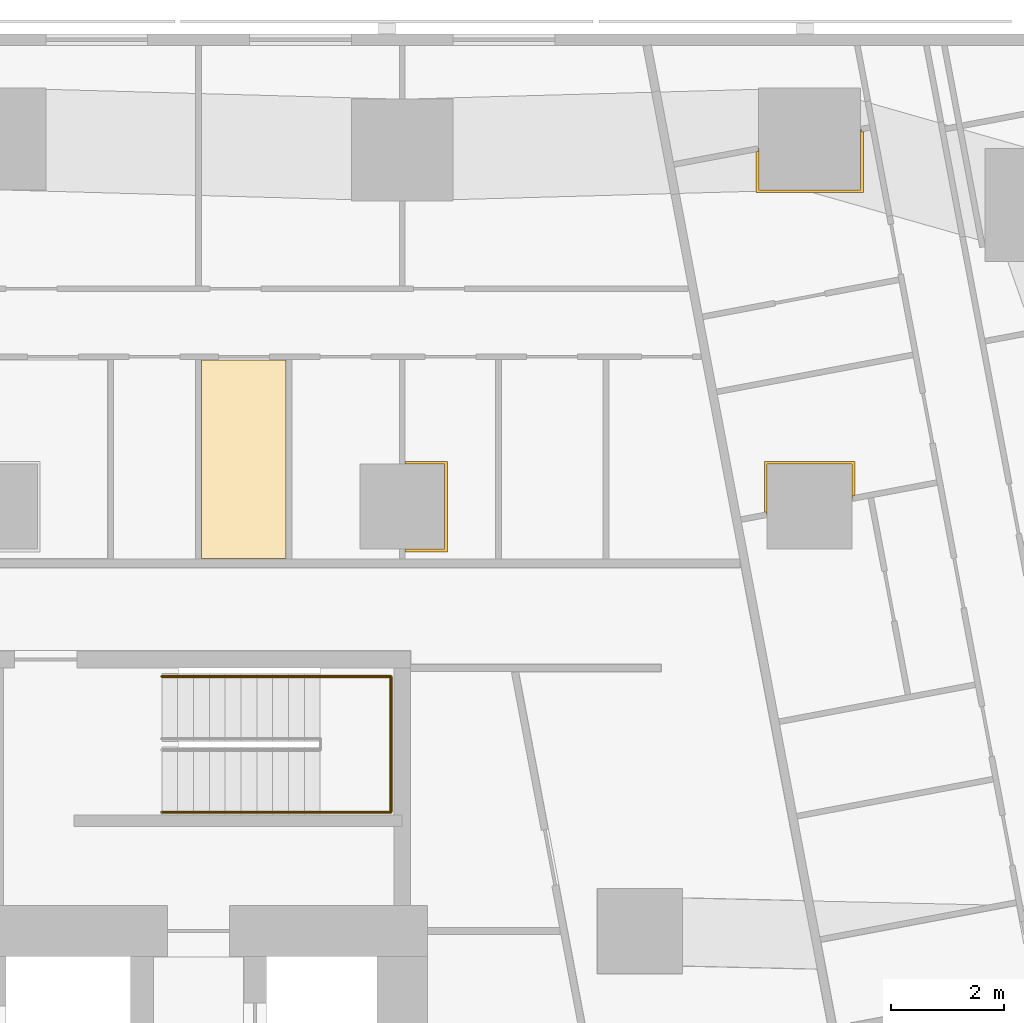
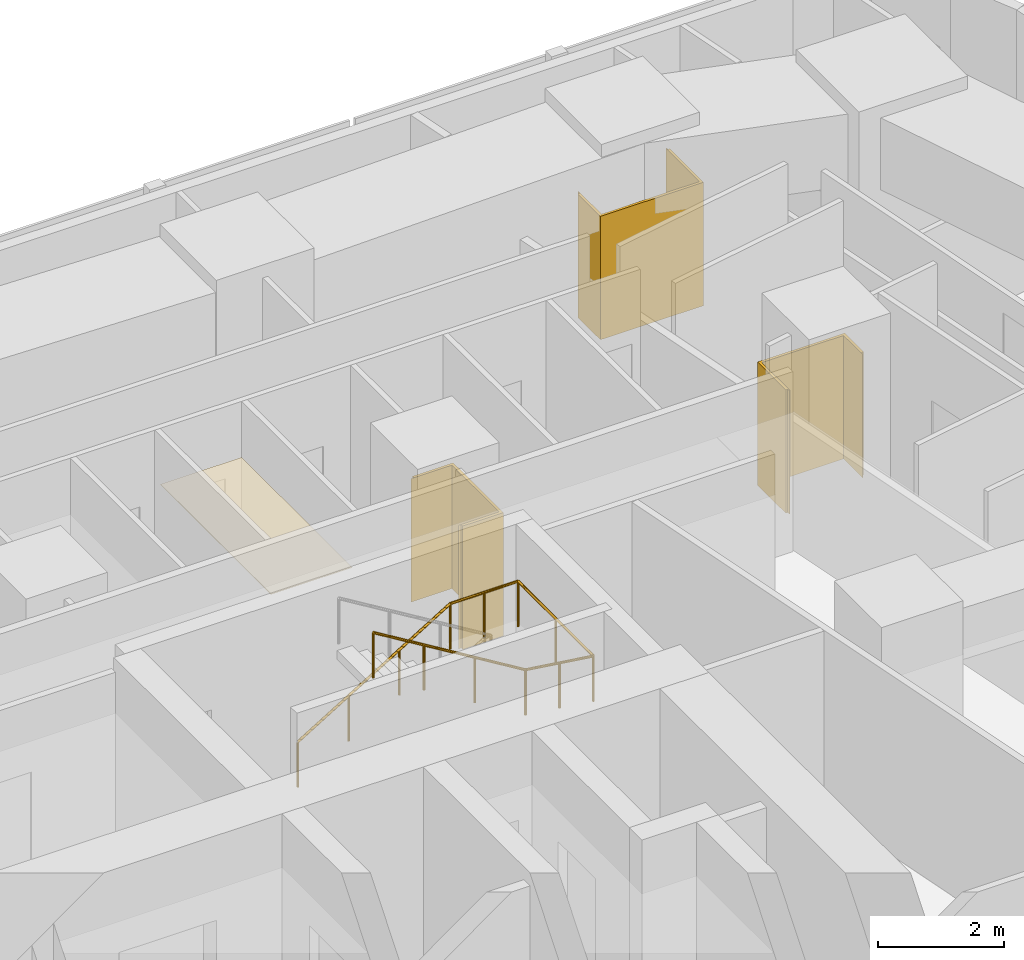
# One storey, part 15 of 15: 4 coverings, 1 railing.
"""IFC4 building model written with IfcOpenShell, lengths in metres."""

from ifc_helpers import new_model, si_unit, direction, frame, origin, origin_2d, place, context, subcontext, project, spatial, polyline, circle, outline, extrude, material, layer, layer_set, type_object, element, save


model = new_model("IFC4")

# Units and contexts
model_context = context("Model", 3, precision=1e-05, world=origin(), true_north=direction((0.0, 1.0)))
body_context = subcontext(model_context, "Body", "Model", "MODEL_VIEW")
ifc_project = project(units=[si_unit("LENGTHUNIT", "METRE"), si_unit("AREAUNIT", "SQUARE_METRE"), si_unit("VOLUMEUNIT", "CUBIC_METRE"), si_unit("PLANEANGLEUNIT", "RADIAN"), si_unit("MASSUNIT", "GRAM", prefix="KILO")], contexts=[model_context])

# Site, building, storey
site_placement = place(None, origin())
site = spatial("IfcSite", under=ifc_project, at=site_placement, CompositionType="ELEMENT")
building_placement = place(site_placement, origin())
building = spatial("IfcBuilding", under=site, at=building_placement, Name="Sheger Commons Tower", CompositionType="ELEMENT")
storey_placement = place(building_placement, frame((0.0, 0.0, 139.550048828125)))
storey = spatial("IfcBuildingStorey", under=building, at=storey_placement, Name="L35", CompositionType="ELEMENT", Elevation=139.550048828125)

# Railing
ifc_material_1 = material(Name="Steel handrail, black powder-coated", Category="steel")
railing_type = type_object("IfcRailingType", Name="HANDRAIL 900", PredefinedType="HANDRAIL", material=ifc_material_1)
railing_placement = place(storey_placement, frame((24.550048828125, 34.5, 0.17041015625)))
element("IfcRailing", 1, at=railing_placement, inside=storey, type_object=railing_type, Name="Stair S2 handrail L35", PredefinedType="HANDRAIL", context=body_context, shape_type="SweptSolid", body=[
    extrude(circle(Radius=0.02392578125, at=origin_2d()), frame((0.0, 0.0, 0.8759765625), z_axis=(0.854169791009, 0.0, 0.51999420009), x_axis=(0.0, 1.0, 0.0)), (0.0, 0.0, 1.0), 3.278076171875),
    extrude(circle(Radius=0.02392578125, at=origin_2d()), frame((2.800048828125, 0.0, 2.58056640625), z_axis=(1.0, 0.0, 0.0), x_axis=(0.0, 1.0, 0.0)), (0.0, 0.0, 1.0), 1.25),
    extrude(circle(Radius=0.02392578125, at=origin_2d()), frame((4.050048828125, 0.0, 2.58056640625), z_axis=(0.0, -1.0, 0.0), x_axis=(1.0, 0.0, 0.0)), (0.0, 0.0, 1.0), 2.39990234375),
    extrude(circle(Radius=0.02392578125, at=origin_2d()), frame((4.050048828125, -2.39990234375, 2.58056640625), z_axis=(-0.990834877927, 0.0, 0.135078661092), x_axis=(0.0, -1.0, 0.0)), (0.0, 0.0, 1.0), 1.261474609375),
    extrude(circle(Radius=0.02392578125, at=origin_2d()), frame((2.800048828125, -2.39990234375, 2.7509765625), z_axis=(-0.854169791009, 0.0, 0.51999420009), x_axis=(0.0, -1.0, 0.0)), (0.0, 0.0, 1.0), 3.278076171875),
    extrude(circle(Radius=0.02099609375, at=origin_2d()), origin(), (0.0, 0.0, 1.0), 0.851806640625),
    extrude(circle(Radius=0.02099609375, at=origin_2d()), frame((0.933349609375, 0.0, 0.568115234375)), (0.0, 0.0, 1.0), 0.851806640625),
    extrude(circle(Radius=0.02099609375, at=origin_2d()), frame((1.86669921875, 0.0, 1.136474609375)), (0.0, 0.0, 1.0), 0.851806640625),
    extrude(circle(Radius=0.02099609375, at=origin_2d()), frame((2.800048828125, 0.0, 1.70458984375)), (0.0, 0.0, 1.0), 0.851806640625),
    extrude(circle(Radius=0.02099609375, at=origin_2d()), frame((3.425048828125, 0.0, 1.70458984375)), (0.0, 0.0, 1.0), 0.851806640625),
    extrude(circle(Radius=0.02099609375, at=origin_2d()), frame((4.050048828125, 0.0, 1.70458984375)), (0.0, 0.0, 1.0), 0.851806640625),
    extrude(circle(Radius=0.02099609375, at=origin_2d()), frame((4.050048828125, -1.199951171875, 1.70458984375)), (0.0, 0.0, 1.0), 0.851806640625),
    extrude(circle(Radius=0.02099609375, at=origin_2d()), frame((4.050048828125, -2.39990234375, 1.70458984375)), (0.0, 0.0, 1.0), 0.851806640625),
    extrude(circle(Radius=0.02099609375, at=origin_2d()), frame((3.425048828125, -2.39990234375, 1.789794921875)), (0.0, 0.0, 1.0), 0.851806640625),
    extrude(circle(Radius=0.02099609375, at=origin_2d()), frame((2.800048828125, -2.39990234375, 1.875)), (0.0, 0.0, 1.0), 0.851806640625),
    extrude(circle(Radius=0.02099609375, at=origin_2d()), frame((1.86669921875, -2.39990234375, 2.443115234375)), (0.0, 0.0, 1.0), 0.851806640625),
    extrude(circle(Radius=0.02099609375, at=origin_2d()), frame((0.933349609375, -2.39990234375, 3.011474609375)), (0.0, 0.0, 1.0), 0.851806640625),
    extrude(circle(Radius=0.02099609375, at=origin_2d()), frame((0.0, -2.39990234375, 3.57958984375)), (0.0, 0.0, 1.0), 0.851806640625),
])

# Coverings
ifc_material_2 = material(Name="Moisture-resistant gypsum plasterboard 15 mm on a suspended galvanised steel grid", Category="steel")
ifc_layer_1 = layer(ifc_material_2, 0.014892578125)
ifc_layer_set_1 = layer_set([ifc_layer_1], Name="MOISTURE-RESISTANT CEILING 15")
covering_type_1 = type_object("IfcCoveringType", Name="MOISTURE-RESISTANT CEILING 15", PredefinedType="CEILING", material=ifc_layer_set_1)
covering_1_placement = place(storey_placement, frame((0.0, 0.0, 2.39990234375)))
element("IfcCovering", 2, at=covering_1_placement, inside=storey, type_object=covering_type_1, Name="L35-12.B2 ceiling", PredefinedType="CEILING", context=body_context, shape_type="SweptSolid", body=[
    extrude(outline(polyline([(25.2548828125, 36.580078125), (26.7451171875, 36.580078125), (26.7451171875, 40.094970703125), (25.2548828125, 40.094970703125), (25.2548828125, 36.580078125)])), origin(), (0.0, 0.0, 1.0), 0.01513671875),
])
ifc_material_3 = material(Name="Moisture-resistant gypsum board 12.5 mm on 25 mm treated timber battens, tanked and tiled", Category="wood")
ifc_layer_2 = layer(ifc_material_3, 0.050048828125)
ifc_layer_set_2 = layer_set([ifc_layer_2], Name="WET-ROOM COLUMN LINING")
covering_type_2 = type_object("IfcCoveringType", Name="WET-ROOM COLUMN LINING", PredefinedType="CLADDING", material=ifc_layer_set_2)
covering_2_placement = place(storey_placement, origin())
element("IfcCovering", 3, at=covering_2_placement, inside=storey, type_object=covering_type_2, Name="Laundry room column lining C10 L35", PredefinedType="CLADDING", context=body_context, shape_type="SweptSolid", body=[
    extrude(outline(polyline([(29.60009765625, 36.699951171875), (28.85009765625, 36.699951171875), (28.85009765625, 36.7490234375), (28.800048828125, 36.7490234375), (28.800048828125, 36.75), (29.550048828125, 36.75), (29.550048828125, 38.25), (28.800048828125, 38.25), (28.800048828125, 38.2509765625), (28.85009765625, 38.2509765625), (28.85009765625, 38.300048828125), (29.60009765625, 38.300048828125), (29.60009765625, 36.699951171875)])), origin(), (0.0, 0.0, 1.0), 2.39990234375),
])
covering_3_placement = place(storey_placement, origin())
element("IfcCovering", 4, at=covering_3_placement, inside=storey, type_object=covering_type_2, Name="Store and laundry column lining C10 L35", PredefinedType="CLADDING", context=body_context, shape_type="SweptSolid", body=[
    extrude(outline(polyline([(36.800048828125, 38.300048828125), (36.800048828125, 37.701904296875), (36.7509765625, 37.693115234375), (36.760009765625, 37.64404296875), (36.75, 37.64208984375), (36.75, 38.25), (35.25, 38.25), (35.25, 37.35888671875), (35.239990234375, 37.35693359375), (35.23095703125, 37.406005859375), (35.199951171875, 37.39990234375), (35.199951171875, 38.300048828125), (36.800048828125, 38.300048828125)])), origin(), (0.0, 0.0, 1.0), 2.39990234375),
])
covering_4_placement = place(storey_placement, origin())
element("IfcCovering", 5, at=covering_4_placement, inside=storey, type_object=covering_type_2, Name="Store and laundry column lining C8 L35", PredefinedType="CLADDING", context=body_context, shape_type="SweptSolid", body=[
    extrude(outline(polyline([(35.10009765625, 43.830078125), (35.10009765625, 43.10009765625), (36.89990234375, 43.10009765625), (36.89990234375, 44.1708984375), (36.909912109375, 44.173095703125), (36.9189453125, 44.123046875), (36.949951171875, 44.12890625), (36.949951171875, 43.050048828125), (35.050048828125, 43.050048828125), (35.050048828125, 43.77001953125), (35.09912109375, 43.779052734375), (35.090087890625, 43.827880859375), (35.10009765625, 43.830078125)])), origin(), (0.0, 0.0, 1.0), 2.39990234375),
])

save(model, "model.ifc")
